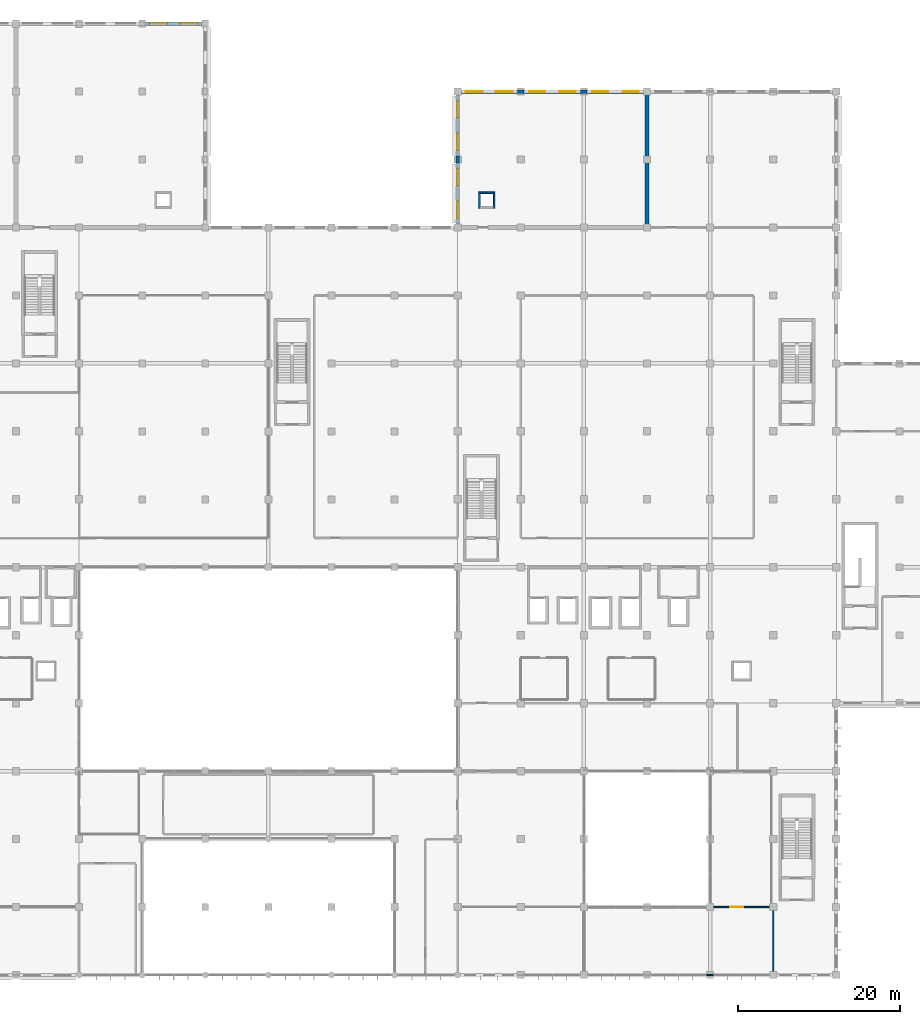
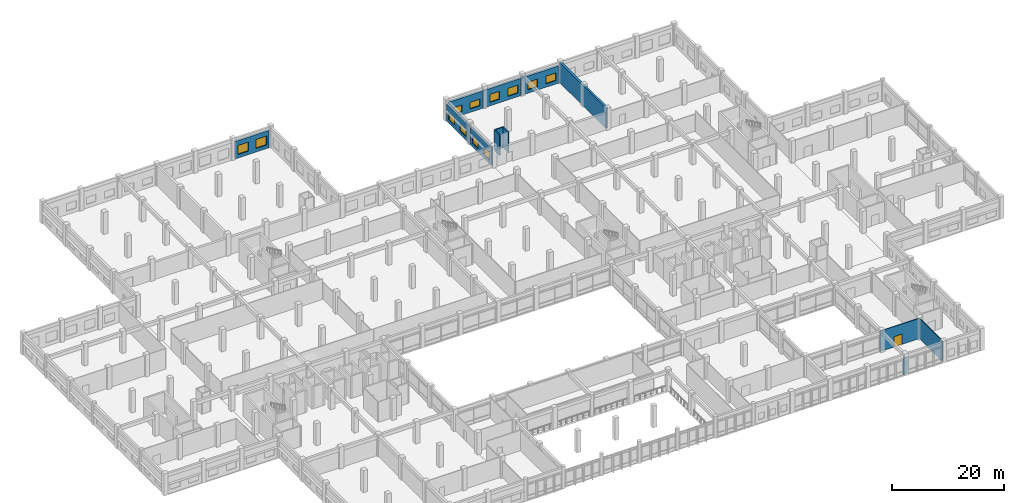
# One storey, part 62 of 79: 16 walls, 12 windows, 1 door, 13 openings.
"""IFC4 building model written with IfcOpenShell, lengths in metres."""

from ifc_helpers import new_model, si_unit, direction, frame, frame_2d, origin, place, context, subcontext, project, spatial, rectangle, extrude, material, layer, layer_set, type_object, element, fill, save


model = new_model("IFC4")

# Units and contexts
model_context = context("Model", 3, precision=1e-05, world=origin(), true_north=direction((0.0, 1.0)))
body_context = subcontext(model_context, "Body", "Model", "MODEL_VIEW")
ifc_project = project(units=[si_unit("LENGTHUNIT", "METRE"), si_unit("AREAUNIT", "SQUARE_METRE"), si_unit("VOLUMEUNIT", "CUBIC_METRE"), si_unit("PLANEANGLEUNIT", "RADIAN"), si_unit("MASSUNIT", "GRAM", prefix="KILO"), si_unit("THERMODYNAMICTEMPERATUREUNIT", "KELVIN"), si_unit("POWERUNIT", "WATT")], contexts=[model_context])

# Site, building, storey
site_placement = place(None, origin())
site = spatial("IfcSite", under=ifc_project, at=site_placement, CompositionType="ELEMENT")
building_placement = place(site_placement, origin())
building = spatial("IfcBuilding", under=site, at=building_placement, Name="Srebrne Nadtorze General Hospital", CompositionType="ELEMENT")
storey_placement = place(building_placement, frame((0.0, 0.0, 4.800048828125)))
storey = spatial("IfcBuildingStorey", under=building, at=storey_placement, Name="L01", CompositionType="ELEMENT", Elevation=4.800048828125)

# Wall, openings, windows
ifc_material_1 = material(Name="Concrete C40/50", Category="concrete")
ifc_layer_1 = layer(ifc_material_1, 0.419921875)
ifc_layer_set_1 = layer_set([ifc_layer_1], Name="Concrete C40/50")
wall_type_1 = type_object("IfcWallType", Name="Acoustic buffer wall 420", PredefinedType="SOLIDWALL", material=ifc_layer_set_1)
wall_1_placement = place(storey_placement, frame((101.85009765625, 109.199951171875, 0.0), z_axis=(0.0, 0.0, 1.0), x_axis=(1.0, 0.0, 0.0)))
wall_1 = element("IfcWall", 1, at=wall_1_placement, inside=storey, type_object=wall_type_1, Name="Exterior wall WL-ENV-L01-0172", PredefinedType="SOLIDWALL", context=body_context, shape_type="SweptSolid", body=[
    extrude(rectangle(XDim=6.89990234375, YDim=0.419921875, at=frame_2d((3.449951171875, 0.0))), origin(), (0.0, 0.0, 1.0), 3.75),
])
opening_1_placement = place(wall_1_placement, frame((0.528076171875, 0.0, 0.75)))
opening_1 = element("IfcOpeningElement", 2, at=opening_1_placement, cuts=wall_1, Name="Opening WN-L01-0164", PredefinedType="OPENING", context=body_context, shape_type="SweptSolid", body=[
    extrude(rectangle(XDim=2.10009765625, YDim=1.449951171875, at=frame_2d((1.050048828125, 0.72509765625))), frame((0.0, 0.221923828125, 0.0), z_axis=(0.0, -1.0, 0.0), x_axis=(1.0, 0.0, 0.0)), (0.0, 0.0, 1.0), 0.44384765625),
])
opening_2_placement = place(wall_1_placement, frame((4.27197265625, 0.0, 0.75)))
opening_2 = element("IfcOpeningElement", 3, at=opening_2_placement, cuts=wall_1, Name="Opening WN-L01-0165", PredefinedType="OPENING", context=body_context, shape_type="SweptSolid", body=[
    extrude(rectangle(XDim=2.10009765625, YDim=1.449951171875, at=frame_2d((1.050048828125, 0.72509765625))), frame((0.0, 0.221923828125, 0.0), z_axis=(0.0, -1.0, 0.0), x_axis=(1.0, 0.0, 0.0)), (0.0, 0.0, 1.0), 0.44384765625),
])
ifc_material_2 = material(Name="Triple Low-E Glazing", Category="glass")
window_type_1 = type_object("IfcWindowType", Name="Punched clinical window 2100x1450", PartitioningType="DOUBLE_PANEL_VERTICAL", PredefinedType="WINDOW", material=ifc_material_2)
window_1_placement = place(opening_1_placement, origin())
window_1 = element("IfcWindow", 4, at=window_1_placement, inside=storey, type_object=window_type_1, Name="Clinical window WN-L01-0164", OverallHeight=1.449951171875, OverallWidth=2.10009765625, PartitioningType="DOUBLE_PANEL_VERTICAL", PredefinedType="WINDOW", context=body_context, shape_type="SweptSolid", body=[
    extrude(rectangle(XDim=2.10009765625, YDim=1.449951171875, at=frame_2d((1.050048828125, 0.72509765625))), frame((0.0, 0.030029296875, 0.0), z_axis=(0.0, -1.0, 0.0), x_axis=(1.0, 0.0, 0.0)), (0.0, 0.0, 1.0), 0.06005859375),
])
fill(opening_1, window_1)
window_2_placement = place(opening_2_placement, origin())
window_2 = element("IfcWindow", 5, at=window_2_placement, inside=storey, type_object=window_type_1, Name="Clinical window WN-L01-0165", OverallHeight=1.449951171875, OverallWidth=2.10009765625, PartitioningType="DOUBLE_PANEL_VERTICAL", PredefinedType="WINDOW", context=body_context, shape_type="SweptSolid", body=[
    extrude(rectangle(XDim=2.10009765625, YDim=1.449951171875, at=frame_2d((1.050048828125, 0.72509765625))), frame((0.0, 0.030029296875, 0.0), z_axis=(0.0, -1.0, 0.0), x_axis=(1.0, 0.0, 0.0)), (0.0, 0.0, 1.0), 0.06005859375),
])
fill(opening_2, window_2)

wall_2_placement = place(storey_placement, frame((109.64990234375, 109.199951171875, 0.0), z_axis=(0.0, 0.0, 1.0), x_axis=(1.0, 0.0, 0.0)))
wall_2 = element("IfcWall", 6, at=wall_2_placement, inside=storey, type_object=wall_type_1, Name="Exterior wall WL-ENV-L01-0173", PredefinedType="SOLIDWALL", context=body_context, shape_type="SweptSolid", body=[
    extrude(rectangle(XDim=6.900146484375, YDim=0.419921875, at=frame_2d((3.4501953125, 0.0))), origin(), (0.0, 0.0, 1.0), 3.75),
])
opening_3_placement = place(wall_2_placement, frame((0.577880859375, 0.0, 0.75)))
opening_3 = element("IfcOpeningElement", 7, at=opening_3_placement, cuts=wall_2, Name="Opening WN-L01-0166", PredefinedType="OPENING", context=body_context, shape_type="SweptSolid", body=[
    extrude(rectangle(XDim=2.0, YDim=1.75, at=frame_2d((1.0, 0.875))), frame((0.0, 0.221923828125, 0.0), z_axis=(0.0, -1.0, 0.0), x_axis=(1.0, 0.0, 0.0)), (0.0, 0.0, 1.0), 0.44384765625),
])
opening_4_placement = place(wall_2_placement, frame((4.322021484375, 0.0, 0.75)))
opening_4 = element("IfcOpeningElement", 8, at=opening_4_placement, cuts=wall_2, Name="Opening WN-L01-0167", PredefinedType="OPENING", context=body_context, shape_type="SweptSolid", body=[
    extrude(rectangle(XDim=2.0, YDim=1.75, at=frame_2d((1.0, 0.875))), frame((0.0, 0.221923828125, 0.0), z_axis=(0.0, -1.0, 0.0), x_axis=(1.0, 0.0, 0.0)), (0.0, 0.0, 1.0), 0.44384765625),
])
ifc_material_3 = material(Name="Triple Low-E Glazing", Category="glass")
window_type_2 = type_object("IfcWindowType", Name="Punched clinical window 2000x1750", PartitioningType="DOUBLE_PANEL_VERTICAL", PredefinedType="WINDOW", material=ifc_material_3)
window_3_placement = place(opening_3_placement, origin())
window_3 = element("IfcWindow", 9, at=window_3_placement, inside=storey, type_object=window_type_2, Name="Clinical window WN-L01-0166", OverallHeight=1.75, OverallWidth=2.0, PartitioningType="DOUBLE_PANEL_VERTICAL", PredefinedType="WINDOW", context=body_context, shape_type="SweptSolid", body=[
    extrude(rectangle(XDim=2.0, YDim=1.75, at=frame_2d((1.0, 0.875))), frame((0.0, 0.030029296875, 0.0), z_axis=(0.0, -1.0, 0.0), x_axis=(1.0, 0.0, 0.0)), (0.0, 0.0, 1.0), 0.06005859375),
])
fill(opening_3, window_3)
window_4_placement = place(opening_4_placement, origin())
window_4 = element("IfcWindow", 10, at=window_4_placement, inside=storey, type_object=window_type_2, Name="Clinical window WN-L01-0167", OverallHeight=1.75, OverallWidth=2.0, PartitioningType="DOUBLE_PANEL_VERTICAL", PredefinedType="WINDOW", context=body_context, shape_type="SweptSolid", body=[
    extrude(rectangle(XDim=2.0, YDim=1.75, at=frame_2d((1.0, 0.875))), frame((0.0, 0.030029296875, 0.0), z_axis=(0.0, -1.0, 0.0), x_axis=(1.0, 0.0, 0.0)), (0.0, 0.0, 1.0), 0.06005859375),
])
fill(opening_4, window_4)

wall_3_placement = place(storey_placement, frame((117.449951171875, 109.199951171875, 0.0), z_axis=(0.0, 0.0, 1.0), x_axis=(1.0, 0.0, 0.0)))
wall_3 = element("IfcWall", 11, at=wall_3_placement, inside=storey, type_object=wall_type_1, Name="Exterior wall WL-ENV-L01-0174", PredefinedType="SOLIDWALL", context=body_context, shape_type="SweptSolid", body=[
    extrude(rectangle(XDim=6.900146484375, YDim=0.419921875, at=frame_2d((3.4501953125, 0.0))), origin(), (0.0, 0.0, 1.0), 3.75),
])
opening_5_placement = place(wall_3_placement, frame((0.577880859375, 0.0, 0.75)))
opening_5 = element("IfcOpeningElement", 12, at=opening_5_placement, cuts=wall_3, Name="Opening WN-L01-0168", PredefinedType="OPENING", context=body_context, shape_type="SweptSolid", body=[
    extrude(rectangle(XDim=2.0, YDim=1.64990234375, at=frame_2d((1.0, 0.824951171875))), frame((0.0, 0.221923828125, 0.0), z_axis=(0.0, -1.0, 0.0), x_axis=(1.0, 0.0, 0.0)), (0.0, 0.0, 1.0), 0.44384765625),
])
opening_6_placement = place(wall_3_placement, frame((4.322021484375, 0.0, 0.75)))
opening_6 = element("IfcOpeningElement", 13, at=opening_6_placement, cuts=wall_3, Name="Opening WN-L01-0169", PredefinedType="OPENING", context=body_context, shape_type="SweptSolid", body=[
    extrude(rectangle(XDim=2.0, YDim=1.64990234375, at=frame_2d((1.0, 0.824951171875))), frame((0.0, 0.221923828125, 0.0), z_axis=(0.0, -1.0, 0.0), x_axis=(1.0, 0.0, 0.0)), (0.0, 0.0, 1.0), 0.44384765625),
])
ifc_material_4 = material(Name="Triple Low-E Glazing", Category="glass")
window_type_3 = type_object("IfcWindowType", Name="Punched clinical window 2000x1650", PartitioningType="DOUBLE_PANEL_VERTICAL", PredefinedType="WINDOW", material=ifc_material_4)
window_5_placement = place(opening_5_placement, origin())
window_5 = element("IfcWindow", 14, at=window_5_placement, inside=storey, type_object=window_type_3, Name="Clinical window WN-L01-0168", OverallHeight=1.64990234375, OverallWidth=2.0, PartitioningType="DOUBLE_PANEL_VERTICAL", PredefinedType="WINDOW", context=body_context, shape_type="SweptSolid", body=[
    extrude(rectangle(XDim=2.0, YDim=1.64990234375, at=frame_2d((1.0, 0.824951171875))), frame((0.0, 0.030029296875, 0.0), z_axis=(0.0, -1.0, 0.0), x_axis=(1.0, 0.0, 0.0)), (0.0, 0.0, 1.0), 0.06005859375),
])
fill(opening_5, window_5)
window_6_placement = place(opening_6_placement, origin())
window_6 = element("IfcWindow", 15, at=window_6_placement, inside=storey, type_object=window_type_3, Name="Clinical window WN-L01-0169", OverallHeight=1.64990234375, OverallWidth=2.0, PartitioningType="DOUBLE_PANEL_VERTICAL", PredefinedType="WINDOW", context=body_context, shape_type="SweptSolid", body=[
    extrude(rectangle(XDim=2.0, YDim=1.64990234375, at=frame_2d((1.0, 0.824951171875))), frame((0.0, 0.030029296875, 0.0), z_axis=(0.0, -1.0, 0.0), x_axis=(1.0, 0.0, 0.0)), (0.0, 0.0, 1.0), 0.06005859375),
])
fill(opening_6, window_6)

wall_4_placement = place(storey_placement, frame((62.824951171875, 117.60009765625, 0.0), z_axis=(0.0, 0.0, 1.0), x_axis=(1.0, 0.0, 0.0)))
wall_4 = element("IfcWall", 16, at=wall_4_placement, inside=storey, type_object=wall_type_1, Name="Exterior wall WL-ENV-L01-0183", PredefinedType="SOLIDWALL", context=body_context, shape_type="SweptSolid", body=[
    extrude(rectangle(XDim=6.949951171875, YDim=0.419921875, at=frame_2d((3.47509765625, 0.0))), origin(), (0.0, 0.0, 1.0), 3.75),
])
opening_7_placement = place(wall_4_placement, frame((0.5029296875, 0.0, 0.75)))
opening_7 = element("IfcOpeningElement", 17, at=opening_7_placement, cuts=wall_4, Name="Opening WN-L01-0186", PredefinedType="OPENING", context=body_context, shape_type="SweptSolid", body=[
    extrude(rectangle(XDim=2.199951171875, YDim=1.949951171875, at=frame_2d((1.10009765625, 0.97509765625))), frame((0.0, 0.221923828125, 0.0), z_axis=(0.0, -1.0, 0.0), x_axis=(1.0, 0.0, 0.0)), (0.0, 0.0, 1.0), 0.44384765625),
])
opening_8_placement = place(wall_4_placement, frame((4.2470703125, 0.0, 0.75)))
opening_8 = element("IfcOpeningElement", 18, at=opening_8_placement, cuts=wall_4, Name="Opening WN-L01-0187", PredefinedType="OPENING", context=body_context, shape_type="SweptSolid", body=[
    extrude(rectangle(XDim=2.199951171875, YDim=1.949951171875, at=frame_2d((1.10009765625, 0.97509765625))), frame((0.0, 0.221923828125, 0.0), z_axis=(0.0, -1.0, 0.0), x_axis=(1.0, 0.0, 0.0)), (0.0, 0.0, 1.0), 0.44384765625),
])
ifc_material_5 = material(Name="Triple Low-E Glazing", Category="glass")
window_type_4 = type_object("IfcWindowType", Name="Punched clinical window 2200x1950", PartitioningType="DOUBLE_PANEL_VERTICAL", PredefinedType="WINDOW", material=ifc_material_5)
window_7_placement = place(opening_7_placement, origin())
window_7 = element("IfcWindow", 19, at=window_7_placement, inside=storey, type_object=window_type_4, Name="Clinical window WN-L01-0186", OverallHeight=1.949951171875, OverallWidth=2.199951171875, PartitioningType="DOUBLE_PANEL_VERTICAL", PredefinedType="WINDOW", context=body_context, shape_type="SweptSolid", body=[
    extrude(rectangle(XDim=2.199951171875, YDim=1.949951171875, at=frame_2d((1.10009765625, 0.97509765625))), frame((0.0, 0.030029296875, 0.0), z_axis=(0.0, -1.0, 0.0), x_axis=(1.0, 0.0, 0.0)), (0.0, 0.0, 1.0), 0.06005859375),
])
fill(opening_7, window_7)
window_8_placement = place(opening_8_placement, origin())
window_8 = element("IfcWindow", 20, at=window_8_placement, inside=storey, type_object=window_type_4, Name="Clinical window WN-L01-0187", OverallHeight=1.949951171875, OverallWidth=2.199951171875, PartitioningType="DOUBLE_PANEL_VERTICAL", PredefinedType="WINDOW", context=body_context, shape_type="SweptSolid", body=[
    extrude(rectangle(XDim=2.199951171875, YDim=1.949951171875, at=frame_2d((1.10009765625, 0.97509765625))), frame((0.0, 0.030029296875, 0.0), z_axis=(0.0, -1.0, 0.0), x_axis=(1.0, 0.0, 0.0)), (0.0, 0.0, 1.0), 0.06005859375),
])
fill(opening_8, window_8)

# Wall, opening, door
ifc_material_6 = material(Name="Gypsum Healthcare Partition")
ifc_layer_2 = layer(ifc_material_6, 0.159912109375)
ifc_layer_set_2 = layer_set([ifc_layer_2], Name="Gypsum Healthcare Partition")
wall_type_2 = type_object("IfcWallType", Name="Clinical partition 160", PredefinedType="PARTITIONING", material=ifc_layer_set_2)
wall_5_placement = place(storey_placement, frame((132.18994140625, 8.39990234375, 0.0), z_axis=(0.0, 0.0, 1.0), x_axis=(1.0, 0.0, 0.0)))
wall_5 = element("IfcWall", 21, at=wall_5_placement, inside=storey, type_object=wall_type_2, Name="Outpatient Ophthalmology Clinic wall WL-INT-L01-1469", PredefinedType="PARTITIONING", context=body_context, shape_type="SweptSolid", body=[
    extrude(rectangle(XDim=8.125, YDim=0.159912109375, at=frame_2d((4.0625, 0.0))), origin(), (0.0, 0.0, 1.0), 4.429931640625),
])
opening_9_placement = place(wall_5_placement, frame((2.927734375, 0.0, 0.0)))
opening_9 = element("IfcOpeningElement", 22, at=opening_9_placement, cuts=wall_5, Name="Opening D-L01-0232", PredefinedType="OPENING", context=body_context, shape_type="SweptSolid", body=[
    extrude(rectangle(XDim=1.60009765625, YDim=2.25, at=frame_2d((0.800048828125, 1.125))), frame((0.0, 0.091796875, 0.0), z_axis=(0.0, -1.0, 0.0), x_axis=(1.0, 0.0, 0.0)), (0.0, 0.0, 1.0), 0.183837890625),
])
ifc_material_7 = material(Name="Anodised Aluminium", Category="aluminium")
door_type = type_object("IfcDoorType", Name="Double leaf door 1600x2250", OperationType="DOUBLE_DOOR_SINGLE_SWING", PredefinedType="DOOR", material=ifc_material_7)
door_placement = place(opening_9_placement, frame((1.60009765625, 0.0, 0.0), z_axis=(0.0, 0.0, 1.0), x_axis=(-1.0, 0.0, 0.0)))
door = element("IfcDoor", 23, at=door_placement, inside=storey, type_object=door_type, Name="Outpatient Ophthalmology Clinic door D-L01-0232", OperationType="DOUBLE_DOOR_SINGLE_SWING", OverallHeight=2.25, OverallWidth=1.60009765625, PredefinedType="DOOR", context=body_context, shape_type="SweptSolid", body=[
    extrude(rectangle(XDim=1.60009765625, YDim=2.25, at=frame_2d((0.800048828125, 1.125))), frame((0.0, 0.02490234375, 0.0), z_axis=(0.0, -1.0, 0.0), x_axis=(1.0, 0.0, 0.0)), (0.0, 0.0, 1.0), 0.050048828125),
])
fill(opening_9, door)

# Walls
wall_6_placement = place(storey_placement, frame((132.18994140625, 0.0, 0.0), z_axis=(0.0, 0.0, 1.0), x_axis=(1.0, 0.0, 0.0)))
element("IfcWall", 24, at=wall_6_placement, inside=storey, type_object=wall_type_2, Name="Outpatient Ophthalmology Clinic wall WL-INT-L01-1471", PredefinedType="PARTITIONING", context=body_context, shape_type="SweptSolid", body=[
    extrude(rectangle(XDim=0.820068359375, YDim=0.159912109375, at=frame_2d((0.41015625, 0.0))), origin(), (0.0, 0.0, 1.0), 3.699951171875),
])
wall_7_placement = place(storey_placement, frame((140.39990234375, 0.0849609375, 0.0), z_axis=(0.0, 0.0, 1.0), x_axis=(0.0, 1.0, 0.0)))
element("IfcWall", 25, at=wall_7_placement, inside=storey, type_object=wall_type_2, Name="Outpatient Ophthalmology Clinic wall WL-INT-L01-1472", PredefinedType="PARTITIONING", context=body_context, shape_type="SweptSolid", body=[
    extrude(rectangle(XDim=8.22998046875, YDim=0.159912109375, at=frame_2d((4.114990234375, 0.0))), origin(), (0.0, 0.0, 1.0), 4.429931640625),
])
ifc_material_8 = material(Name="Gypsum Healthcare Partition")
ifc_layer_3 = layer(ifc_material_8, 0.199951171875)
ifc_layer_set_3 = layer_set([ifc_layer_3], Name="Gypsum Healthcare Partition")
wall_type_3 = type_object("IfcWallType", Name="Compartment wall 200", PredefinedType="STANDARD", material=ifc_layer_set_3)
for number, where, z_axis, x_axis, name in (
    (26, (104.10009765625, 94.800048828125, 0.0), (0.0, 0.0, 1.0), (0.0, 1.0, 0.0), "MEP riser wall WL-INT-L01-0969"),
    (27, (105.89990234375, 94.800048828125, 0.0), (0.0, 0.0, 1.0), (0.0, 1.0, 0.0), "MEP riser wall WL-INT-L01-0970"),
):
    element("IfcWall", number, at=place(storey_placement, frame(where, z_axis=z_axis, x_axis=x_axis)), inside=storey, type_object=wall_type_3, Name=name, PredefinedType="STANDARD", context=body_context, shape_type="SweptSolid", body=[
        extrude(rectangle(XDim=2.0, YDim=0.199951171875, at=frame_2d((1.0, 0.0))), origin(), (0.0, 0.0, 1.0), 4.449951171875),
    ])
wall_8_placement = place(storey_placement, frame((104.199951171875, 96.699951171875, 0.0), z_axis=(0.0, 0.0, 1.0), x_axis=(1.0, 0.0, 0.0)))
element("IfcWall", 28, at=wall_8_placement, inside=storey, type_object=wall_type_3, Name="MEP riser wall WL-INT-L01-0972", PredefinedType="STANDARD", context=body_context, shape_type="SweptSolid", body=[
    extrude(rectangle(XDim=1.60009765625, YDim=0.199951171875, at=frame_2d((0.800048828125, 0.0))), origin(), (0.0, 0.0, 1.0), 4.449951171875),
])
ifc_material_9 = material(Name="Concrete C35/45", Category="concrete")
ifc_layer_4 = layer(ifc_material_9, 0.449951171875)
ifc_layer_set_4 = layer_set([ifc_layer_4], Name="Concrete C35/45")
wall_type_4 = type_object("IfcWallType", Name="Radiation shield wall 450", PredefinedType="STANDARD", material=ifc_layer_set_4)
wall_9_placement = place(storey_placement, frame((108.7900390625, 109.199951171875, 0.0), z_axis=(0.0, 0.0, 1.0), x_axis=(1.0, 0.0, 0.0)))
element("IfcWall", 29, at=wall_9_placement, inside=storey, type_object=wall_type_4, Name="Diagnostic Imaging Radiography wall WL-INT-L01-1427", PredefinedType="STANDARD", context=body_context, shape_type="SweptSolid", body=[
    extrude(rectangle(XDim=0.820068359375, YDim=0.449951171875, at=frame_2d((0.41015625, 0.0))), origin(), (0.0, 0.0, 1.0), 3.699951171875),
])
wall_10_placement = place(storey_placement, frame((116.590087890625, 109.199951171875, 0.0), z_axis=(0.0, 0.0, 1.0), x_axis=(1.0, 0.0, 0.0)))
element("IfcWall", 30, at=wall_10_placement, inside=storey, type_object=wall_type_4, Name="Diagnostic Imaging Radiography wall WL-INT-L01-1428", PredefinedType="STANDARD", context=body_context, shape_type="SweptSolid", body=[
    extrude(rectangle(XDim=0.81982421875, YDim=0.449951171875, at=frame_2d((0.409912109375, 0.0))), origin(), (0.0, 0.0, 1.0), 3.699951171875),
])
wall_11_placement = place(storey_placement, frame((101.39990234375, 100.389892578125, 0.0), z_axis=(0.0, 0.0, 1.0), x_axis=(0.0, 1.0, 0.0)))
element("IfcWall", 31, at=wall_11_placement, inside=storey, type_object=wall_type_4, Name="Diagnostic Imaging Radiography wall WL-INT-L01-1429", PredefinedType="STANDARD", context=body_context, shape_type="SweptSolid", body=[
    extrude(rectangle(XDim=0.820068359375, YDim=0.449951171875, at=frame_2d((0.41015625, 0.0))), origin(), (0.0, 0.0, 1.0), 3.699951171875),
])
wall_12_placement = place(storey_placement, frame((124.800048828125, 92.614990234375, 0.0), z_axis=(0.0, 0.0, 1.0), x_axis=(0.0, 1.0, 0.0)))
element("IfcWall", 32, at=wall_12_placement, inside=storey, type_object=wall_type_4, Name="Diagnostic Imaging Radiography wall WL-INT-L01-1430", PredefinedType="STANDARD", context=body_context, shape_type="SweptSolid", body=[
    extrude(rectangle(XDim=16.3701171875, YDim=0.449951171875, at=frame_2d((8.18505859375, 0.0))), origin(), (0.0, 0.0, 1.0), 4.429931640625),
])

# Wall, openings, windows
ifc_material_10 = material(Name="Concrete C35/45", Category="concrete")
ifc_layer_5 = layer(ifc_material_10, 0.320068359375)
ifc_layer_set_5 = layer_set([ifc_layer_5], Name="Concrete C35/45")
wall_type_5 = type_object("IfcWallType", Name="Spandrel wall 320", PredefinedType="STANDARD", material=ifc_layer_set_5)
wall_13_placement = place(storey_placement, frame((101.39990234375, 92.85009765625, 0.0), z_axis=(0.0, 0.0, 1.0), x_axis=(0.0, 1.0, 0.0)))
wall_13 = element("IfcWall", 33, at=wall_13_placement, inside=storey, type_object=wall_type_5, Name="Exterior wall WL-ENV-L01-0201", PredefinedType="STANDARD", context=body_context, shape_type="SweptSolid", body=[
    extrude(rectangle(XDim=7.5, YDim=0.320068359375, at=frame_2d((3.75, 0.0))), origin(), (0.0, 0.0, 1.0), 3.75),
])
opening_10_placement = place(wall_13_placement, frame((0.68408203125, 0.0, 0.75)))
opening_10 = element("IfcOpeningElement", 34, at=opening_10_placement, cuts=wall_13, Name="Opening WN-L01-0221", PredefinedType="OPENING", context=body_context, shape_type="SweptSolid", body=[
    extrude(rectangle(XDim=2.10009765625, YDim=1.64990234375, at=frame_2d((1.050048828125, 0.824951171875))), frame((0.0, 0.171875, 0.0), z_axis=(0.0, -1.0, 0.0), x_axis=(1.0, 0.0, 0.0)), (0.0, 0.0, 1.0), 0.343994140625),
])
opening_11_placement = place(wall_13_placement, frame((4.716064453125, 0.0, 0.75)))
opening_11 = element("IfcOpeningElement", 35, at=opening_11_placement, cuts=wall_13, Name="Opening WN-L01-0222", PredefinedType="OPENING", context=body_context, shape_type="SweptSolid", body=[
    extrude(rectangle(XDim=2.10009765625, YDim=1.64990234375, at=frame_2d((1.050048828125, 0.824951171875))), frame((0.0, 0.171875, 0.0), z_axis=(0.0, -1.0, 0.0), x_axis=(1.0, 0.0, 0.0)), (0.0, 0.0, 1.0), 0.343994140625),
])
ifc_material_11 = material(Name="Triple Low-E Glazing", Category="glass")
window_type_5 = type_object("IfcWindowType", Name="Punched clinical window 2100x1650", PartitioningType="DOUBLE_PANEL_VERTICAL", PredefinedType="WINDOW", material=ifc_material_11)
window_9_placement = place(opening_10_placement, origin())
window_9 = element("IfcWindow", 36, at=window_9_placement, inside=storey, type_object=window_type_5, Name="Clinical window WN-L01-0221", OverallHeight=1.64990234375, OverallWidth=2.10009765625, PartitioningType="DOUBLE_PANEL_VERTICAL", PredefinedType="WINDOW", context=body_context, shape_type="SweptSolid", body=[
    extrude(rectangle(XDim=2.10009765625, YDim=1.64990234375, at=frame_2d((1.050048828125, 0.824951171875))), frame((0.0, 0.030029296875, 0.0), z_axis=(0.0, -1.0, 0.0), x_axis=(1.0, 0.0, 0.0)), (0.0, 0.0, 1.0), 0.06005859375),
])
fill(opening_10, window_9)
window_10_placement = place(opening_11_placement, origin())
window_10 = element("IfcWindow", 37, at=window_10_placement, inside=storey, type_object=window_type_5, Name="Clinical window WN-L01-0222", OverallHeight=1.64990234375, OverallWidth=2.10009765625, PartitioningType="DOUBLE_PANEL_VERTICAL", PredefinedType="WINDOW", context=body_context, shape_type="SweptSolid", body=[
    extrude(rectangle(XDim=2.10009765625, YDim=1.64990234375, at=frame_2d((1.050048828125, 0.824951171875))), frame((0.0, 0.030029296875, 0.0), z_axis=(0.0, -1.0, 0.0), x_axis=(1.0, 0.0, 0.0)), (0.0, 0.0, 1.0), 0.06005859375),
])
fill(opening_11, window_10)

wall_14_placement = place(storey_placement, frame((101.39990234375, 101.25, 0.0), z_axis=(0.0, 0.0, 1.0), x_axis=(0.0, 1.0, 0.0)))
wall_14 = element("IfcWall", 38, at=wall_14_placement, inside=storey, type_object=wall_type_5, Name="Exterior wall WL-ENV-L01-0202", PredefinedType="STANDARD", context=body_context, shape_type="SweptSolid", body=[
    extrude(rectangle(XDim=7.5, YDim=0.320068359375, at=frame_2d((3.75, 0.0))), origin(), (0.0, 0.0, 1.0), 3.75),
])
opening_12_placement = place(wall_14_placement, frame((0.68408203125, 0.0, 0.75)))
opening_12 = element("IfcOpeningElement", 39, at=opening_12_placement, cuts=wall_14, Name="Opening WN-L01-0223", PredefinedType="OPENING", context=body_context, shape_type="SweptSolid", body=[
    extrude(rectangle(XDim=2.10009765625, YDim=1.550048828125, at=frame_2d((1.050048828125, 0.77490234375))), frame((0.0, 0.171875, 0.0), z_axis=(0.0, -1.0, 0.0), x_axis=(1.0, 0.0, 0.0)), (0.0, 0.0, 1.0), 0.343994140625),
])
opening_13_placement = place(wall_14_placement, frame((4.716064453125, 0.0, 0.75)))
opening_13 = element("IfcOpeningElement", 40, at=opening_13_placement, cuts=wall_14, Name="Opening WN-L01-0224", PredefinedType="OPENING", context=body_context, shape_type="SweptSolid", body=[
    extrude(rectangle(XDim=2.10009765625, YDim=1.550048828125, at=frame_2d((1.050048828125, 0.77490234375))), frame((0.0, 0.171875, 0.0), z_axis=(0.0, -1.0, 0.0), x_axis=(1.0, 0.0, 0.0)), (0.0, 0.0, 1.0), 0.343994140625),
])
ifc_material_12 = material(Name="Triple Low-E Glazing", Category="glass")
window_type_6 = type_object("IfcWindowType", Name="Punched clinical window 2100x1550", PartitioningType="DOUBLE_PANEL_VERTICAL", PredefinedType="WINDOW", material=ifc_material_12)
window_11_placement = place(opening_12_placement, origin())
window_11 = element("IfcWindow", 41, at=window_11_placement, inside=storey, type_object=window_type_6, Name="Clinical window WN-L01-0223", OverallHeight=1.550048828125, OverallWidth=2.10009765625, PartitioningType="DOUBLE_PANEL_VERTICAL", PredefinedType="WINDOW", context=body_context, shape_type="SweptSolid", body=[
    extrude(rectangle(XDim=2.10009765625, YDim=1.550048828125, at=frame_2d((1.050048828125, 0.77490234375))), frame((0.0, 0.030029296875, 0.0), z_axis=(0.0, -1.0, 0.0), x_axis=(1.0, 0.0, 0.0)), (0.0, 0.0, 1.0), 0.06005859375),
])
fill(opening_12, window_11)
window_12_placement = place(opening_13_placement, origin())
window_12 = element("IfcWindow", 42, at=window_12_placement, inside=storey, type_object=window_type_6, Name="Clinical window WN-L01-0224", OverallHeight=1.550048828125, OverallWidth=2.10009765625, PartitioningType="DOUBLE_PANEL_VERTICAL", PredefinedType="WINDOW", context=body_context, shape_type="SweptSolid", body=[
    extrude(rectangle(XDim=2.10009765625, YDim=1.550048828125, at=frame_2d((1.050048828125, 0.77490234375))), frame((0.0, 0.030029296875, 0.0), z_axis=(0.0, -1.0, 0.0), x_axis=(1.0, 0.0, 0.0)), (0.0, 0.0, 1.0), 0.06005859375),
])
fill(opening_13, window_12)

save(model, "model.ifc")
